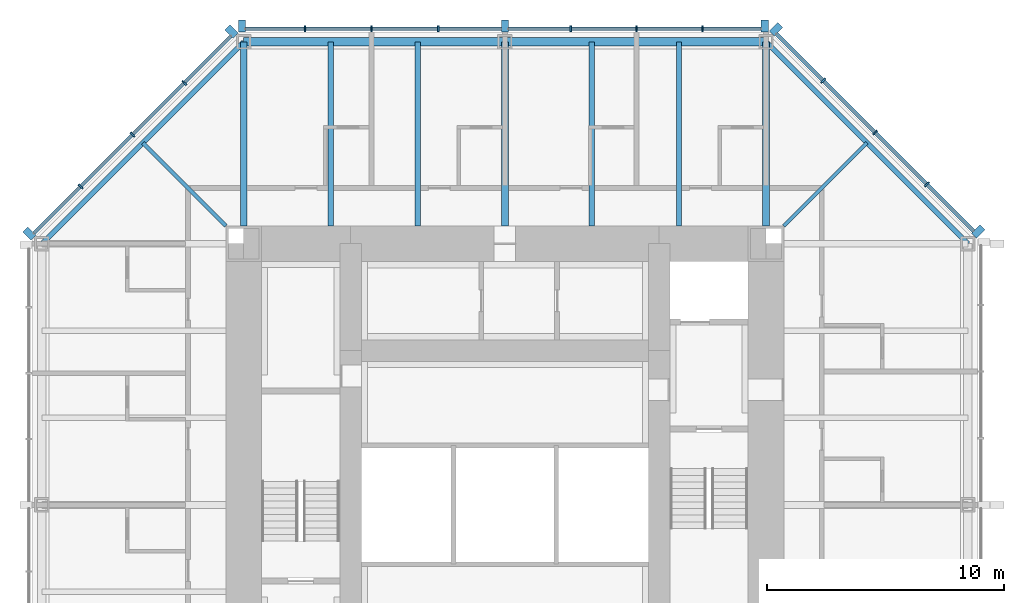
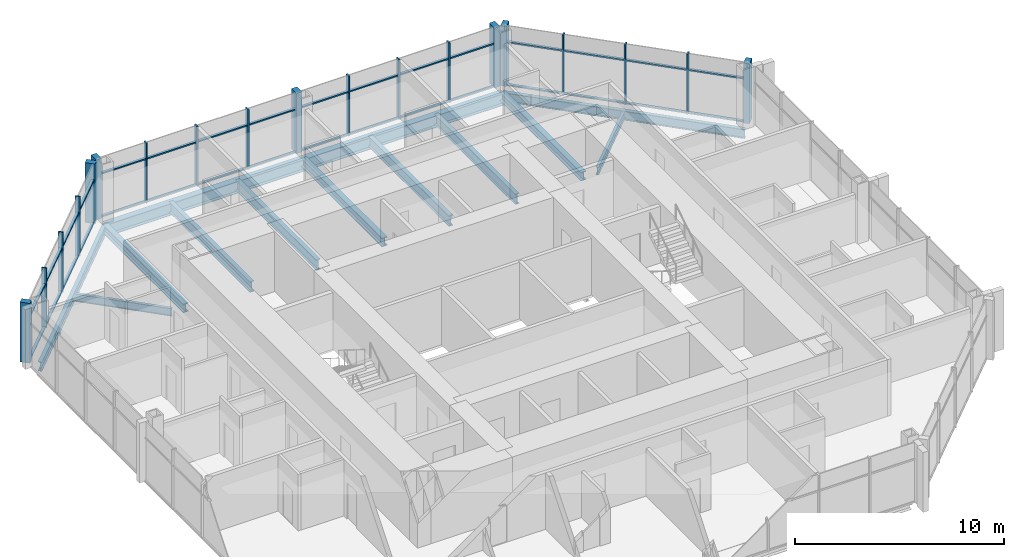
# One storey, part 5 of 12: 51 members, 13 beams, 3 elements without a shape of their own.
"""IFC4 building model written with IfcOpenShell, lengths in metres."""

from ifc_helpers import new_model, si_unit, direction, frame, origin, origin_2d, place, context, subcontext, project, spatial, rectangle, i_section, extrude, material, material_profile, profile_set, type_object, element, aggregate, save


model = new_model("IFC4")

# Units and contexts
model_context = context("Model", 3, precision=1e-05, world=origin(), true_north=direction((0.0, 1.0)))
body_context = subcontext(model_context, "Body", "Model", "MODEL_VIEW")
ifc_project = project(units=[si_unit("LENGTHUNIT", "METRE"), si_unit("AREAUNIT", "SQUARE_METRE"), si_unit("VOLUMEUNIT", "CUBIC_METRE"), si_unit("PLANEANGLEUNIT", "RADIAN"), si_unit("MASSUNIT", "GRAM", prefix="KILO")], contexts=[model_context])

# Site, building, storey
site_placement = place(None, origin())
site = spatial("IfcSite", under=ifc_project, at=site_placement, CompositionType="ELEMENT")
building_placement = place(site_placement, origin())
building = spatial("IfcBuilding", under=site, at=building_placement, Name="Trevanion Tower", CompositionType="ELEMENT")
storey_placement = place(building_placement, frame((0.0, 0.0, 190.699951171875)))
storey = spatial("IfcBuildingStorey", under=building, at=storey_placement, Name="L44", CompositionType="ELEMENT", Elevation=190.699951171875)

# Beams
ifc_material_1 = material(Name="Steel ASTM A992 Grade 50", Category="steel")
ifc_material_profile_1 = material_profile(ifc_material_1, i_section(OverallWidth=0.228271484375, OverallDepth=0.607177734375, WebThickness=0.01123046875, FlangeThickness=0.017333984375, at=origin_2d()), Name="W24X76")
ifc_profile_set_1 = profile_set([ifc_material_profile_1], Name="Steel ASTM A992 Grade 50")
beam_type_1 = type_object("IfcBeamType", Name="B11 W24X76", PredefinedType="BEAM", material=ifc_profile_set_1)
for number, where, z_axis, x_axis, name in (
    (1, (7.333251953125, 11.75, -0.493408203125), (0.0, 1.0, 0.0), (-1.0, 0.0, 0.0), "B11 L44"),
    (2, (3.666748046875, 11.75, -0.493408203125), (0.0, 1.0, 0.0), (-1.0, 0.0, 0.0), "B11 L44"),
    (3, (-3.666748046875, 11.75, -0.493408203125), (0.0, 1.0, 0.0), (-1.0, 0.0, 0.0), "B11 L44"),
    (4, (-7.333251953125, 11.75, -0.493408203125), (0.0, 1.0, 0.0), (-1.0, 0.0, 0.0), "B11 L44"),
):
    element("IfcBeam", number, at=place(storey_placement, frame(where, z_axis=z_axis, x_axis=x_axis)), inside=storey, type_object=beam_type_1, Name=name, PredefinedType="BEAM", context=body_context, shape_type="SweptSolid", body=[
        extrude(i_section(OverallWidth=0.228271484375, OverallDepth=0.607177734375, WebThickness=0.01123046875, FlangeThickness=0.017333984375, at=origin_2d()), origin(), (0.0, 0.0, 1.0), 7.75),
    ])
ifc_material_2 = material(Name="Steel ASTM A992 Grade 50", Category="steel")
ifc_material_profile_2 = material_profile(ifc_material_2, i_section(OverallWidth=0.15234375, OverallDepth=0.449462890625, WebThickness=0.007568359375, FlangeThickness=0.0107421875, at=origin_2d()), Name="W18X35")
ifc_profile_set_2 = profile_set([ifc_material_profile_2], Name="Steel ASTM A992 Grade 50")
beam_type_2 = type_object("IfcBeamType", Name="B12 W18X35", PredefinedType="BEAM", material=ifc_profile_set_2)
for number, where, z_axis, x_axis, name in (
    (5, (11.75, 11.75, -0.414794921875), (0.707106781187, 0.707106781187, 0.0), (-0.707106781187, 0.707106781187, 0.0), "B12 L44"),
    (6, (-11.75, 11.75, -0.414794921875), (-0.707106781187, 0.707106781187, 0.0), (-0.707106781187, -0.707106781187, 0.0), "B12 L44"),
):
    element("IfcBeam", number, at=place(storey_placement, frame(where, z_axis=z_axis, x_axis=x_axis)), inside=storey, type_object=beam_type_2, Name=name, PredefinedType="BEAM", context=body_context, shape_type="SweptSolid", body=[
        extrude(i_section(OverallWidth=0.15234375, OverallDepth=0.449462890625, WebThickness=0.007568359375, FlangeThickness=0.0107421875, at=origin_2d()), origin(), (0.0, 0.0, 1.0), 4.94970703125),
    ])

# Curtain wall, members
ifc_material_3 = material(Name="Aluminium and glass", Category="aluminium")
curtain_wall_type = type_object("IfcCurtainWallType", Name="CW3 curtain wall", PredefinedType="USERDEFINED", material=ifc_material_3)
curtain_wall_1_placement = place(storey_placement, origin())
curtain_wall_1 = element("IfcCurtainWall", 7, at=curtain_wall_1_placement, inside=storey, type_object=curtain_wall_type, Name="CW3 L44 1", ObjectType="UNITISED CURTAIN WALL", PredefinedType="USERDEFINED")
ifc_material_4 = material(Name="Aluminium extrusion, anodised bronze", Category="aluminium")
ifc_material_profile_3 = material_profile(ifc_material_4, rectangle(XDim=0.074951171875, YDim=0.25, at=origin_2d()), Name="CW3 mullion")
ifc_profile_set_3 = profile_set([ifc_material_profile_3], Name="Aluminium extrusion, anodised bronze")
member_type_1 = type_object("IfcMemberType", Name="CW3 mullion", PredefinedType="MULLION", material=ifc_profile_set_3)
member_1_placement = place(storey_placement, frame((17.775390625, 13.502197265625, -0.18994140625), z_axis=(0.0, 0.0, 1.0), x_axis=(-0.707106781187, 0.707106781187, 0.0)))
member_1 = element("IfcMember", 8, at=member_1_placement, type_object=member_type_1, Name="CW3 mullion 2", PredefinedType="MULLION", context=body_context, shape_type="SweptSolid", body=[
    extrude(rectangle(XDim=0.074951171875, YDim=0.25, at=origin_2d()), origin(), (0.0, 0.0, 1.0), 3.5),
])
member_2_placement = place(storey_placement, frame((15.593017578125, 15.684814453125, -0.18994140625), z_axis=(0.0, 0.0, 1.0), x_axis=(-0.707106781187, 0.707106781187, 0.0)))
member_2 = element("IfcMember", 9, at=member_2_placement, type_object=member_type_1, Name="CW3 mullion 3", PredefinedType="MULLION", context=body_context, shape_type="SweptSolid", body=[
    extrude(rectangle(XDim=0.074951171875, YDim=0.25, at=origin_2d()), origin(), (0.0, 0.0, 1.0), 3.5),
])
member_3_placement = place(storey_placement, frame((13.410400390625, 17.867431640625, -0.18994140625), z_axis=(0.0, 0.0, 1.0), x_axis=(-0.707106781187, 0.707106781187, 0.0)))
member_3 = element("IfcMember", 10, at=member_3_placement, type_object=member_type_1, Name="CW3 mullion 4", PredefinedType="MULLION", context=body_context, shape_type="SweptSolid", body=[
    extrude(rectangle(XDim=0.074951171875, YDim=0.25, at=origin_2d()), origin(), (0.0, 0.0, 1.0), 3.5),
])

curtain_wall_2_placement = place(storey_placement, origin())
curtain_wall_2 = element("IfcCurtainWall", 11, at=curtain_wall_2_placement, inside=storey, type_object=curtain_wall_type, Name="CW3 L44 2", ObjectType="UNITISED CURTAIN WALL", PredefinedType="USERDEFINED")
member_4_placement = place(storey_placement, frame((8.323486328125, 20.050048828125, -0.18994140625), z_axis=(0.0, 0.0, 1.0), x_axis=(-1.0, 0.0, 0.0)))
member_4 = element("IfcMember", 12, at=member_4_placement, type_object=member_type_1, Name="CW3 mullion 2", PredefinedType="MULLION", context=body_context, shape_type="SweptSolid", body=[
    extrude(rectangle(XDim=0.074951171875, YDim=0.25, at=origin_2d()), origin(), (0.0, 0.0, 1.0), 3.5),
])
member_5_placement = place(storey_placement, frame((5.548828125, 20.050048828125, -0.18994140625), z_axis=(0.0, 0.0, 1.0), x_axis=(-1.0, 0.0, 0.0)))
member_5 = element("IfcMember", 13, at=member_5_placement, type_object=member_type_1, Name="CW3 mullion 3", PredefinedType="MULLION", context=body_context, shape_type="SweptSolid", body=[
    extrude(rectangle(XDim=0.074951171875, YDim=0.25, at=origin_2d()), origin(), (0.0, 0.0, 1.0), 3.5),
])
member_6_placement = place(storey_placement, frame((2.7744140625, 20.050048828125, -0.18994140625), z_axis=(0.0, 0.0, 1.0), x_axis=(-1.0, 0.0, 0.0)))
member_6 = element("IfcMember", 14, at=member_6_placement, type_object=member_type_1, Name="CW3 mullion 4", PredefinedType="MULLION", context=body_context, shape_type="SweptSolid", body=[
    extrude(rectangle(XDim=0.074951171875, YDim=0.25, at=origin_2d()), origin(), (0.0, 0.0, 1.0), 3.5),
])
member_7_placement = place(storey_placement, frame((-2.806884765625, 20.050048828125, -0.18994140625), z_axis=(0.0, 0.0, 1.0), x_axis=(-1.0, 0.0, 0.0)))
member_7 = element("IfcMember", 15, at=member_7_placement, type_object=member_type_1, Name="CW3 mullion 6", PredefinedType="MULLION", context=body_context, shape_type="SweptSolid", body=[
    extrude(rectangle(XDim=0.074951171875, YDim=0.25, at=origin_2d()), origin(), (0.0, 0.0, 1.0), 3.5),
])
member_8_placement = place(storey_placement, frame((-5.614013671875, 20.050048828125, -0.18994140625), z_axis=(0.0, 0.0, 1.0), x_axis=(-1.0, 0.0, 0.0)))
member_8 = element("IfcMember", 16, at=member_8_placement, type_object=member_type_1, Name="CW3 mullion 7", PredefinedType="MULLION", context=body_context, shape_type="SweptSolid", body=[
    extrude(rectangle(XDim=0.074951171875, YDim=0.25, at=origin_2d()), origin(), (0.0, 0.0, 1.0), 3.5),
])
member_9_placement = place(storey_placement, frame((-8.4208984375, 20.050048828125, -0.18994140625), z_axis=(0.0, 0.0, 1.0), x_axis=(-1.0, 0.0, 0.0)))
member_9 = element("IfcMember", 17, at=member_9_placement, type_object=member_type_1, Name="CW3 mullion 8", PredefinedType="MULLION", context=body_context, shape_type="SweptSolid", body=[
    extrude(rectangle(XDim=0.074951171875, YDim=0.25, at=origin_2d()), origin(), (0.0, 0.0, 1.0), 3.5),
])

curtain_wall_3_placement = place(storey_placement, origin())
curtain_wall_3 = element("IfcCurtainWall", 18, at=curtain_wall_3_placement, inside=storey, type_object=curtain_wall_type, Name="CW3 L44 3", ObjectType="UNITISED CURTAIN WALL", PredefinedType="USERDEFINED")
member_10_placement = place(storey_placement, frame((-13.502197265625, 17.775390625, -0.18994140625), z_axis=(0.0, 0.0, 1.0), x_axis=(-0.707106781187, -0.707106781187, 0.0)))
member_10 = element("IfcMember", 19, at=member_10_placement, type_object=member_type_1, Name="CW3 mullion 2", PredefinedType="MULLION", context=body_context, shape_type="SweptSolid", body=[
    extrude(rectangle(XDim=0.074951171875, YDim=0.25, at=origin_2d()), origin(), (0.0, 0.0, 1.0), 3.5),
])
member_11_placement = place(storey_placement, frame((-15.684814453125, 15.593017578125, -0.18994140625), z_axis=(0.0, 0.0, 1.0), x_axis=(-0.707106781187, -0.707106781187, 0.0)))
member_11 = element("IfcMember", 20, at=member_11_placement, type_object=member_type_1, Name="CW3 mullion 3", PredefinedType="MULLION", context=body_context, shape_type="SweptSolid", body=[
    extrude(rectangle(XDim=0.074951171875, YDim=0.25, at=origin_2d()), origin(), (0.0, 0.0, 1.0), 3.5),
])
member_12_placement = place(storey_placement, frame((-17.867431640625, 13.410400390625, -0.18994140625), z_axis=(0.0, 0.0, 1.0), x_axis=(-0.707106781187, -0.707106781187, 0.0)))
member_12 = element("IfcMember", 21, at=member_12_placement, type_object=member_type_1, Name="CW3 mullion 4", PredefinedType="MULLION", context=body_context, shape_type="SweptSolid", body=[
    extrude(rectangle(XDim=0.074951171875, YDim=0.25, at=origin_2d()), origin(), (0.0, 0.0, 1.0), 3.5),
])

# Member
ifc_material_5 = material(Name="Aluminium extrusion, anodised bronze", Category="aluminium")
ifc_material_profile_4 = material_profile(ifc_material_5, rectangle(XDim=0.300048828125, YDim=0.5, at=origin_2d()), Name="CW3 pier mullion")
ifc_profile_set_4 = profile_set([ifc_material_profile_4], Name="Aluminium extrusion, anodised bronze")
member_type_2 = type_object("IfcMemberType", Name="CW3 pier mullion", PredefinedType="MULLION", material=ifc_profile_set_4)
member_13_placement = place(storey_placement, frame((19.9404296875, 11.51416015625, -0.18994140625), z_axis=(0.0, 0.0, 1.0), x_axis=(-0.707106781187, 0.707106781187, 0.0)))
member_13 = element("IfcMember", 22, at=member_13_placement, type_object=member_type_2, Name="CW3 pier mullion 1", PredefinedType="MULLION", context=body_context, shape_type="SweptSolid", body=[
    extrude(rectangle(XDim=0.300048828125, YDim=0.5, at=origin_2d()), origin(), (0.0, 0.0, 1.0), 3.5),
])

member_14_placement = place(storey_placement, frame((11.42236328125, 20.0322265625, -0.18994140625), z_axis=(0.0, 0.0, 1.0), x_axis=(-0.707106781187, 0.707106781187, 0.0)))
member_14 = element("IfcMember", 23, at=member_14_placement, type_object=member_type_2, Name="CW3 pier mullion 5", PredefinedType="MULLION", context=body_context, shape_type="SweptSolid", body=[
    extrude(rectangle(XDim=0.300048828125, YDim=0.5, at=origin_2d()), origin(), (0.0, 0.0, 1.0), 3.5),
])

member_15_placement = place(storey_placement, frame((10.94775390625, 20.175048828125, -0.18994140625), z_axis=(0.0, 0.0, 1.0), x_axis=(-1.0, 0.0, 0.0)))
member_15 = element("IfcMember", 24, at=member_15_placement, type_object=member_type_2, Name="CW3 pier mullion 1", PredefinedType="MULLION", context=body_context, shape_type="SweptSolid", body=[
    extrude(rectangle(XDim=0.300048828125, YDim=0.5, at=origin_2d()), origin(), (0.0, 0.0, 1.0), 3.5),
])

member_16_placement = place(storey_placement, frame((0.0, 20.175048828125, -0.18994140625), z_axis=(0.0, 0.0, 1.0), x_axis=(-1.0, 0.0, 0.0)))
member_16 = element("IfcMember", 25, at=member_16_placement, type_object=member_type_2, Name="CW3 pier mullion 5", PredefinedType="MULLION", context=body_context, shape_type="SweptSolid", body=[
    extrude(rectangle(XDim=0.300048828125, YDim=0.5, at=origin_2d()), origin(), (0.0, 0.0, 1.0), 3.5),
])

member_17_placement = place(storey_placement, frame((-11.077880859375, 20.175048828125, -0.18994140625), z_axis=(0.0, 0.0, 1.0), x_axis=(-1.0, 0.0, 0.0)))
member_17 = element("IfcMember", 26, at=member_17_placement, type_object=member_type_2, Name="CW3 pier mullion 9", PredefinedType="MULLION", context=body_context, shape_type="SweptSolid", body=[
    extrude(rectangle(XDim=0.300048828125, YDim=0.5, at=origin_2d()), origin(), (0.0, 0.0, 1.0), 3.5),
])

member_18_placement = place(storey_placement, frame((-11.51416015625, 19.9404296875, -0.18994140625), z_axis=(0.0, 0.0, 1.0), x_axis=(-0.707106781187, -0.707106781187, 0.0)))
member_18 = element("IfcMember", 27, at=member_18_placement, type_object=member_type_2, Name="CW3 pier mullion 1", PredefinedType="MULLION", context=body_context, shape_type="SweptSolid", body=[
    extrude(rectangle(XDim=0.300048828125, YDim=0.5, at=origin_2d()), origin(), (0.0, 0.0, 1.0), 3.5),
])

member_19_placement = place(storey_placement, frame((-20.0322265625, 11.42236328125, -0.18994140625), z_axis=(0.0, 0.0, 1.0), x_axis=(-0.707106781187, -0.707106781187, 0.0)))
member_19 = element("IfcMember", 28, at=member_19_placement, type_object=member_type_2, Name="CW3 pier mullion 5", PredefinedType="MULLION", context=body_context, shape_type="SweptSolid", body=[
    extrude(rectangle(XDim=0.300048828125, YDim=0.5, at=origin_2d()), origin(), (0.0, 0.0, 1.0), 3.5),
])

ifc_material_6 = material(Name="Aluminium extrusion, anodised bronze", Category="aluminium")
ifc_material_profile_5 = material_profile(ifc_material_6, rectangle(XDim=0.14990234375, YDim=0.074951171875, at=origin_2d()), Name="CW3 transom")
ifc_profile_set_5 = profile_set([ifc_material_profile_5], Name="Aluminium extrusion, anodised bronze")
member_type_3 = type_object("IfcMemberType", Name="CW3 transom", PredefinedType="USERDEFINED", material=ifc_profile_set_5)
member_20_placement = place(storey_placement, frame((19.745849609375, 11.531982421875, -0.15234375), z_axis=(-0.707106781187, 0.707106781187, 0.0), x_axis=(-0.707106781187, -0.707106781187, 0.0)))
member_20 = element("IfcMember", 29, at=member_20_placement, type_object=member_type_3, Name="CW3 transom 1.1", ObjectType="TRANSOM", PredefinedType="USERDEFINED", context=body_context, shape_type="SweptSolid", body=[
    extrude(rectangle(XDim=0.14990234375, YDim=0.074951171875, at=origin_2d()), origin(), (0.0, 0.0, 1.0), 2.7490234375),
])

member_21_placement = place(storey_placement, frame((19.745849609375, 11.531982421875, 2.360107421875), z_axis=(-0.707106781187, 0.707106781187, 0.0), x_axis=(-0.707106781187, -0.707106781187, 0.0)))
member_21 = element("IfcMember", 30, at=member_21_placement, type_object=member_type_3, Name="CW3 transom 1.2", ObjectType="TRANSOM", PredefinedType="USERDEFINED", context=body_context, shape_type="SweptSolid", body=[
    extrude(rectangle(XDim=0.14990234375, YDim=0.074951171875, at=origin_2d()), origin(), (0.0, 0.0, 1.0), 2.7490234375),
])

member_22_placement = place(storey_placement, frame((17.7490234375, 13.52880859375, -0.15234375), z_axis=(-0.707106781187, 0.707106781187, 0.0), x_axis=(-0.707106781187, -0.707106781187, 0.0)))
member_22 = element("IfcMember", 31, at=member_22_placement, type_object=member_type_3, Name="CW3 transom 2.1", ObjectType="TRANSOM", PredefinedType="USERDEFINED", context=body_context, shape_type="SweptSolid", body=[
    extrude(rectangle(XDim=0.14990234375, YDim=0.074951171875, at=origin_2d()), origin(), (0.0, 0.0, 1.0), 3.01171875),
])

member_23_placement = place(storey_placement, frame((17.7490234375, 13.52880859375, 2.360107421875), z_axis=(-0.707106781187, 0.707106781187, 0.0), x_axis=(-0.707106781187, -0.707106781187, 0.0)))
member_23 = element("IfcMember", 32, at=member_23_placement, type_object=member_type_3, Name="CW3 transom 2.2", ObjectType="TRANSOM", PredefinedType="USERDEFINED", context=body_context, shape_type="SweptSolid", body=[
    extrude(rectangle(XDim=0.14990234375, YDim=0.074951171875, at=origin_2d()), origin(), (0.0, 0.0, 1.0), 3.01171875),
])

member_24_placement = place(storey_placement, frame((15.56640625, 15.71142578125, -0.15234375), z_axis=(-0.707106781187, 0.707106781187, 0.0), x_axis=(-0.707106781187, -0.707106781187, 0.0)))
member_24 = element("IfcMember", 33, at=member_24_placement, type_object=member_type_3, Name="CW3 transom 3.1", ObjectType="TRANSOM", PredefinedType="USERDEFINED", context=body_context, shape_type="SweptSolid", body=[
    extrude(rectangle(XDim=0.14990234375, YDim=0.074951171875, at=origin_2d()), origin(), (0.0, 0.0, 1.0), 3.011474609375),
])

member_25_placement = place(storey_placement, frame((15.56640625, 15.71142578125, 2.360107421875), z_axis=(-0.707106781187, 0.707106781187, 0.0), x_axis=(-0.707106781187, -0.707106781187, 0.0)))
member_25 = element("IfcMember", 34, at=member_25_placement, type_object=member_type_3, Name="CW3 transom 3.2", ObjectType="TRANSOM", PredefinedType="USERDEFINED", context=body_context, shape_type="SweptSolid", body=[
    extrude(rectangle(XDim=0.14990234375, YDim=0.074951171875, at=origin_2d()), origin(), (0.0, 0.0, 1.0), 3.011474609375),
])

member_26_placement = place(storey_placement, frame((13.3837890625, 17.89404296875, -0.15234375), z_axis=(-0.707106781187, 0.707106781187, 0.0), x_axis=(-0.707106781187, -0.707106781187, 0.0)))
member_26 = element("IfcMember", 35, at=member_26_placement, type_object=member_type_3, Name="CW3 transom 4.1", ObjectType="TRANSOM", PredefinedType="USERDEFINED", context=body_context, shape_type="SweptSolid", body=[
    extrude(rectangle(XDim=0.14990234375, YDim=0.074951171875, at=origin_2d()), origin(), (0.0, 0.0, 1.0), 2.7490234375),
])

member_27_placement = place(storey_placement, frame((13.3837890625, 17.89404296875, 2.360107421875), z_axis=(-0.707106781187, 0.707106781187, 0.0), x_axis=(-0.707106781187, -0.707106781187, 0.0)))
member_27 = element("IfcMember", 36, at=member_27_placement, type_object=member_type_3, Name="CW3 transom 4.2", ObjectType="TRANSOM", PredefinedType="USERDEFINED", context=body_context, shape_type="SweptSolid", body=[
    extrude(rectangle(XDim=0.14990234375, YDim=0.074951171875, at=origin_2d()), origin(), (0.0, 0.0, 1.0), 2.7490234375),
])

aggregate(curtain_wall_1, [member_13, member_1, member_2, member_3, member_14, member_20, member_21, member_22, member_23, member_24, member_25, member_26, member_27])

member_28_placement = place(storey_placement, frame((10.7978515625, 20.050048828125, -0.15234375), z_axis=(-1.0, 0.0, 0.0), x_axis=(0.0, -1.0, 0.0)))
member_28 = element("IfcMember", 37, at=member_28_placement, type_object=member_type_3, Name="CW3 transom 1.1", ObjectType="TRANSOM", PredefinedType="USERDEFINED", context=body_context, shape_type="SweptSolid", body=[
    extrude(rectangle(XDim=0.14990234375, YDim=0.074951171875, at=origin_2d()), origin(), (0.0, 0.0, 1.0), 2.43701171875),
])

member_29_placement = place(storey_placement, frame((10.7978515625, 20.050048828125, 2.360107421875), z_axis=(-1.0, 0.0, 0.0), x_axis=(0.0, -1.0, 0.0)))
member_29 = element("IfcMember", 38, at=member_29_placement, type_object=member_type_3, Name="CW3 transom 1.2", ObjectType="TRANSOM", PredefinedType="USERDEFINED", context=body_context, shape_type="SweptSolid", body=[
    extrude(rectangle(XDim=0.14990234375, YDim=0.074951171875, at=origin_2d()), origin(), (0.0, 0.0, 1.0), 2.43701171875),
])

member_30_placement = place(storey_placement, frame((8.285888671875, 20.050048828125, -0.15234375), z_axis=(-1.0, 0.0, 0.0), x_axis=(0.0, -1.0, 0.0)))
member_30 = element("IfcMember", 39, at=member_30_placement, type_object=member_type_3, Name="CW3 transom 2.1", ObjectType="TRANSOM", PredefinedType="USERDEFINED", context=body_context, shape_type="SweptSolid", body=[
    extrude(rectangle(XDim=0.14990234375, YDim=0.074951171875, at=origin_2d()), origin(), (0.0, 0.0, 1.0), 2.699462890625),
])

member_31_placement = place(storey_placement, frame((8.285888671875, 20.050048828125, 2.360107421875), z_axis=(-1.0, 0.0, 0.0), x_axis=(0.0, -1.0, 0.0)))
member_31 = element("IfcMember", 40, at=member_31_placement, type_object=member_type_3, Name="CW3 transom 2.2", ObjectType="TRANSOM", PredefinedType="USERDEFINED", context=body_context, shape_type="SweptSolid", body=[
    extrude(rectangle(XDim=0.14990234375, YDim=0.074951171875, at=origin_2d()), origin(), (0.0, 0.0, 1.0), 2.699462890625),
])

member_32_placement = place(storey_placement, frame((5.511474609375, 20.050048828125, -0.15234375), z_axis=(-1.0, 0.0, 0.0), x_axis=(0.0, -1.0, 0.0)))
member_32 = element("IfcMember", 41, at=member_32_placement, type_object=member_type_3, Name="CW3 transom 3.1", ObjectType="TRANSOM", PredefinedType="USERDEFINED", context=body_context, shape_type="SweptSolid", body=[
    extrude(rectangle(XDim=0.14990234375, YDim=0.074951171875, at=origin_2d()), origin(), (0.0, 0.0, 1.0), 2.699462890625),
])

member_33_placement = place(storey_placement, frame((5.511474609375, 20.050048828125, 2.360107421875), z_axis=(-1.0, 0.0, 0.0), x_axis=(0.0, -1.0, 0.0)))
member_33 = element("IfcMember", 42, at=member_33_placement, type_object=member_type_3, Name="CW3 transom 3.2", ObjectType="TRANSOM", PredefinedType="USERDEFINED", context=body_context, shape_type="SweptSolid", body=[
    extrude(rectangle(XDim=0.14990234375, YDim=0.074951171875, at=origin_2d()), origin(), (0.0, 0.0, 1.0), 2.699462890625),
])

member_34_placement = place(storey_placement, frame((2.737060546875, 20.050048828125, -0.15234375), z_axis=(-1.0, 0.0, 0.0), x_axis=(0.0, -1.0, 0.0)))
member_34 = element("IfcMember", 43, at=member_34_placement, type_object=member_type_3, Name="CW3 transom 4.1", ObjectType="TRANSOM", PredefinedType="USERDEFINED", context=body_context, shape_type="SweptSolid", body=[
    extrude(rectangle(XDim=0.14990234375, YDim=0.074951171875, at=origin_2d()), origin(), (0.0, 0.0, 1.0), 2.587158203125),
])

member_35_placement = place(storey_placement, frame((2.737060546875, 20.050048828125, 2.360107421875), z_axis=(-1.0, 0.0, 0.0), x_axis=(0.0, -1.0, 0.0)))
member_35 = element("IfcMember", 44, at=member_35_placement, type_object=member_type_3, Name="CW3 transom 4.2", ObjectType="TRANSOM", PredefinedType="USERDEFINED", context=body_context, shape_type="SweptSolid", body=[
    extrude(rectangle(XDim=0.14990234375, YDim=0.074951171875, at=origin_2d()), origin(), (0.0, 0.0, 1.0), 2.587158203125),
])

member_36_placement = place(storey_placement, frame((-0.14990234375, 20.050048828125, -0.15234375), z_axis=(-1.0, 0.0, 0.0), x_axis=(0.0, -1.0, 0.0)))
member_36 = element("IfcMember", 45, at=member_36_placement, type_object=member_type_3, Name="CW3 transom 5.1", ObjectType="TRANSOM", PredefinedType="USERDEFINED", context=body_context, shape_type="SweptSolid", body=[
    extrude(rectangle(XDim=0.14990234375, YDim=0.074951171875, at=origin_2d()), origin(), (0.0, 0.0, 1.0), 2.619384765625),
])

member_37_placement = place(storey_placement, frame((-0.14990234375, 20.050048828125, 2.360107421875), z_axis=(-1.0, 0.0, 0.0), x_axis=(0.0, -1.0, 0.0)))
member_37 = element("IfcMember", 46, at=member_37_placement, type_object=member_type_3, Name="CW3 transom 5.2", ObjectType="TRANSOM", PredefinedType="USERDEFINED", context=body_context, shape_type="SweptSolid", body=[
    extrude(rectangle(XDim=0.14990234375, YDim=0.074951171875, at=origin_2d()), origin(), (0.0, 0.0, 1.0), 2.619384765625),
])

member_38_placement = place(storey_placement, frame((-2.844482421875, 20.050048828125, -0.15234375), z_axis=(-1.0, 0.0, 0.0), x_axis=(0.0, -1.0, 0.0)))
member_38 = element("IfcMember", 47, at=member_38_placement, type_object=member_type_3, Name="CW3 transom 6.1", ObjectType="TRANSOM", PredefinedType="USERDEFINED", context=body_context, shape_type="SweptSolid", body=[
    extrude(rectangle(XDim=0.14990234375, YDim=0.074951171875, at=origin_2d()), origin(), (0.0, 0.0, 1.0), 2.73193359375),
])

member_39_placement = place(storey_placement, frame((-2.844482421875, 20.050048828125, 2.360107421875), z_axis=(-1.0, 0.0, 0.0), x_axis=(0.0, -1.0, 0.0)))
member_39 = element("IfcMember", 48, at=member_39_placement, type_object=member_type_3, Name="CW3 transom 6.2", ObjectType="TRANSOM", PredefinedType="USERDEFINED", context=body_context, shape_type="SweptSolid", body=[
    extrude(rectangle(XDim=0.14990234375, YDim=0.074951171875, at=origin_2d()), origin(), (0.0, 0.0, 1.0), 2.73193359375),
])

member_40_placement = place(storey_placement, frame((-5.6513671875, 20.050048828125, -0.15234375), z_axis=(-1.0, 0.0, 0.0), x_axis=(0.0, -1.0, 0.0)))
member_40 = element("IfcMember", 49, at=member_40_placement, type_object=member_type_3, Name="CW3 transom 7.1", ObjectType="TRANSOM", PredefinedType="USERDEFINED", context=body_context, shape_type="SweptSolid", body=[
    extrude(rectangle(XDim=0.14990234375, YDim=0.074951171875, at=origin_2d()), origin(), (0.0, 0.0, 1.0), 2.73193359375),
])

member_41_placement = place(storey_placement, frame((-5.6513671875, 20.050048828125, 2.360107421875), z_axis=(-1.0, 0.0, 0.0), x_axis=(0.0, -1.0, 0.0)))
member_41 = element("IfcMember", 50, at=member_41_placement, type_object=member_type_3, Name="CW3 transom 7.2", ObjectType="TRANSOM", PredefinedType="USERDEFINED", context=body_context, shape_type="SweptSolid", body=[
    extrude(rectangle(XDim=0.14990234375, YDim=0.074951171875, at=origin_2d()), origin(), (0.0, 0.0, 1.0), 2.73193359375),
])

member_42_placement = place(storey_placement, frame((-8.45849609375, 20.050048828125, -0.15234375), z_axis=(-1.0, 0.0, 0.0), x_axis=(0.0, -1.0, 0.0)))
member_42 = element("IfcMember", 51, at=member_42_placement, type_object=member_type_3, Name="CW3 transom 8.1", ObjectType="TRANSOM", PredefinedType="USERDEFINED", context=body_context, shape_type="SweptSolid", body=[
    extrude(rectangle(XDim=0.14990234375, YDim=0.074951171875, at=origin_2d()), origin(), (0.0, 0.0, 1.0), 2.46923828125),
])

member_43_placement = place(storey_placement, frame((-8.45849609375, 20.050048828125, 2.360107421875), z_axis=(-1.0, 0.0, 0.0), x_axis=(0.0, -1.0, 0.0)))
member_43 = element("IfcMember", 52, at=member_43_placement, type_object=member_type_3, Name="CW3 transom 8.2", ObjectType="TRANSOM", PredefinedType="USERDEFINED", context=body_context, shape_type="SweptSolid", body=[
    extrude(rectangle(XDim=0.14990234375, YDim=0.074951171875, at=origin_2d()), origin(), (0.0, 0.0, 1.0), 2.46923828125),
])

aggregate(curtain_wall_2, [member_15, member_4, member_5, member_6, member_16, member_7, member_8, member_9, member_17, member_28, member_29, member_30, member_31, member_32, member_33, member_34, member_35, member_36, member_37, member_38, member_39, member_40, member_41, member_42, member_43])

member_44_placement = place(storey_placement, frame((-11.531982421875, 19.745849609375, -0.15234375), z_axis=(-0.707106781187, -0.707106781187, 0.0), x_axis=(0.707106781187, -0.707106781187, 0.0)))
member_44 = element("IfcMember", 53, at=member_44_placement, type_object=member_type_3, Name="CW3 transom 1.1", ObjectType="TRANSOM", PredefinedType="USERDEFINED", context=body_context, shape_type="SweptSolid", body=[
    extrude(rectangle(XDim=0.14990234375, YDim=0.074951171875, at=origin_2d()), origin(), (0.0, 0.0, 1.0), 2.7490234375),
])

member_45_placement = place(storey_placement, frame((-11.531982421875, 19.745849609375, 2.360107421875), z_axis=(-0.707106781187, -0.707106781187, 0.0), x_axis=(0.707106781187, -0.707106781187, 0.0)))
member_45 = element("IfcMember", 54, at=member_45_placement, type_object=member_type_3, Name="CW3 transom 1.2", ObjectType="TRANSOM", PredefinedType="USERDEFINED", context=body_context, shape_type="SweptSolid", body=[
    extrude(rectangle(XDim=0.14990234375, YDim=0.074951171875, at=origin_2d()), origin(), (0.0, 0.0, 1.0), 2.7490234375),
])

member_46_placement = place(storey_placement, frame((-13.52880859375, 17.7490234375, -0.15234375), z_axis=(-0.707106781187, -0.707106781187, 0.0), x_axis=(0.707106781187, -0.707106781187, 0.0)))
member_46 = element("IfcMember", 55, at=member_46_placement, type_object=member_type_3, Name="CW3 transom 2.1", ObjectType="TRANSOM", PredefinedType="USERDEFINED", context=body_context, shape_type="SweptSolid", body=[
    extrude(rectangle(XDim=0.14990234375, YDim=0.074951171875, at=origin_2d()), origin(), (0.0, 0.0, 1.0), 3.01171875),
])

member_47_placement = place(storey_placement, frame((-13.52880859375, 17.7490234375, 2.360107421875), z_axis=(-0.707106781187, -0.707106781187, 0.0), x_axis=(0.707106781187, -0.707106781187, 0.0)))
member_47 = element("IfcMember", 56, at=member_47_placement, type_object=member_type_3, Name="CW3 transom 2.2", ObjectType="TRANSOM", PredefinedType="USERDEFINED", context=body_context, shape_type="SweptSolid", body=[
    extrude(rectangle(XDim=0.14990234375, YDim=0.074951171875, at=origin_2d()), origin(), (0.0, 0.0, 1.0), 3.01171875),
])

member_48_placement = place(storey_placement, frame((-15.71142578125, 15.56640625, -0.15234375), z_axis=(-0.707106781187, -0.707106781187, 0.0), x_axis=(0.707106781187, -0.707106781187, 0.0)))
member_48 = element("IfcMember", 57, at=member_48_placement, type_object=member_type_3, Name="CW3 transom 3.1", ObjectType="TRANSOM", PredefinedType="USERDEFINED", context=body_context, shape_type="SweptSolid", body=[
    extrude(rectangle(XDim=0.14990234375, YDim=0.074951171875, at=origin_2d()), origin(), (0.0, 0.0, 1.0), 3.011474609375),
])

member_49_placement = place(storey_placement, frame((-15.71142578125, 15.56640625, 2.360107421875), z_axis=(-0.707106781187, -0.707106781187, 0.0), x_axis=(0.707106781187, -0.707106781187, 0.0)))
member_49 = element("IfcMember", 58, at=member_49_placement, type_object=member_type_3, Name="CW3 transom 3.2", ObjectType="TRANSOM", PredefinedType="USERDEFINED", context=body_context, shape_type="SweptSolid", body=[
    extrude(rectangle(XDim=0.14990234375, YDim=0.074951171875, at=origin_2d()), origin(), (0.0, 0.0, 1.0), 3.011474609375),
])

member_50_placement = place(storey_placement, frame((-17.89404296875, 13.3837890625, -0.15234375), z_axis=(-0.707106781187, -0.707106781187, 0.0), x_axis=(0.707106781187, -0.707106781187, 0.0)))
member_50 = element("IfcMember", 59, at=member_50_placement, type_object=member_type_3, Name="CW3 transom 4.1", ObjectType="TRANSOM", PredefinedType="USERDEFINED", context=body_context, shape_type="SweptSolid", body=[
    extrude(rectangle(XDim=0.14990234375, YDim=0.074951171875, at=origin_2d()), origin(), (0.0, 0.0, 1.0), 2.7490234375),
])

member_51_placement = place(storey_placement, frame((-17.89404296875, 13.3837890625, 2.360107421875), z_axis=(-0.707106781187, -0.707106781187, 0.0), x_axis=(0.707106781187, -0.707106781187, 0.0)))
member_51 = element("IfcMember", 60, at=member_51_placement, type_object=member_type_3, Name="CW3 transom 4.2", ObjectType="TRANSOM", PredefinedType="USERDEFINED", context=body_context, shape_type="SweptSolid", body=[
    extrude(rectangle(XDim=0.14990234375, YDim=0.074951171875, at=origin_2d()), origin(), (0.0, 0.0, 1.0), 2.7490234375),
])

aggregate(curtain_wall_3, [member_18, member_10, member_11, member_12, member_19, member_44, member_45, member_46, member_47, member_48, member_49, member_50, member_51])

# Beams
ifc_material_7 = material(Name="Steel ASTM A992 Grade 50", Category="steel")
ifc_material_profile_6 = material_profile(ifc_material_7, i_section(OverallWidth=0.28955078125, OverallDepth=0.508056640625, WebThickness=0.022705078125, FlangeThickness=0.040283203125, at=origin_2d()), Name="W18X175")
ifc_profile_set_6 = profile_set([ifc_material_profile_6], Name="Steel ASTM A992 Grade 50")
beam_type_3 = type_object("IfcBeamType", Name="G6 W18X175", PredefinedType="BEAM", material=ifc_profile_set_6)
for number, where, z_axis, x_axis, name in (
    (61, (11.0, 11.75, -0.44384765625), (0.0, 1.0, 0.0), (-1.0, 0.0, 0.0), "G6 L44"),
    (62, (0.0, 11.75, -0.44384765625), (0.0, 1.0, 0.0), (-1.0, 0.0, 0.0), "G6 L44"),
    (63, (-11.0, 11.75, -0.44384765625), (0.0, 1.0, 0.0), (-1.0, 0.0, 0.0), "G6 L44"),
):
    element("IfcBeam", number, at=place(storey_placement, frame(where, z_axis=z_axis, x_axis=x_axis)), inside=storey, type_object=beam_type_3, Name=name, PredefinedType="BEAM", context=body_context, shape_type="SweptSolid", body=[
        extrude(i_section(OverallWidth=0.28955078125, OverallDepth=0.508056640625, WebThickness=0.022705078125, FlangeThickness=0.040283203125, at=origin_2d()), origin(), (0.0, 0.0, 1.0), 7.75),
    ])
ifc_material_8 = material(Name="Steel ASTM A992 Grade 50", Category="steel")
ifc_material_profile_7 = material_profile(ifc_material_8, i_section(OverallWidth=0.355712890625, OverallDepth=0.696044921875, WebThickness=0.015380859375, FlangeThickness=0.024658203125, at=origin_2d()), Name="W27X146")
ifc_profile_set_7 = profile_set([ifc_material_profile_7], Name="Steel ASTM A992 Grade 50")
beam_type_4 = type_object("IfcBeamType", Name="SB8 W27X146", PredefinedType="SPANDREL", material=ifc_profile_set_7)
for number, where, z_axis, x_axis, name in (
    (64, (11.0, 19.5, -0.537841796875), (-1.0, 0.0, 0.0), (0.0, -1.0, 0.0), "SB8 L44"),
    (65, (0.0, 19.5, -0.537841796875), (-1.0, 0.0, 0.0), (0.0, -1.0, 0.0), "SB8 L44"),
):
    element("IfcBeam", number, at=place(storey_placement, frame(where, z_axis=z_axis, x_axis=x_axis)), inside=storey, type_object=beam_type_4, Name=name, PredefinedType="SPANDREL", context=body_context, shape_type="SweptSolid", body=[
        extrude(i_section(OverallWidth=0.355712890625, OverallDepth=0.696044921875, WebThickness=0.015380859375, FlangeThickness=0.024658203125, at=origin_2d()), origin(), (0.0, 0.0, 1.0), 11.0),
    ])
ifc_material_9 = material(Name="Steel ASTM A992 Grade 50", Category="steel")
ifc_material_profile_8 = material_profile(ifc_material_9, i_section(OverallWidth=0.209228515625, OverallDepth=0.533447265625, WebThickness=0.01025390625, FlangeThickness=0.015625, at=origin_2d()), Name="W21X62")
ifc_profile_set_8 = profile_set([ifc_material_profile_8], Name="Steel ASTM A992 Grade 50")
beam_type_5 = type_object("IfcBeamType", Name="SB9 W21X62", PredefinedType="SPANDREL", material=ifc_profile_set_8)
for number, where, z_axis, x_axis, name in (
    (66, (19.5, 11.0, -0.45654296875), (-0.707106781187, 0.707106781187, 0.0), (-0.707106781187, -0.707106781187, 0.0), "SB9 L44"),
    (67, (-11.0, 19.5, -0.45654296875), (-0.707106781187, -0.707106781187, 0.0), (0.707106781187, -0.707106781187, 0.0), "SB9 L44"),
):
    element("IfcBeam", number, at=place(storey_placement, frame(where, z_axis=z_axis, x_axis=x_axis)), inside=storey, type_object=beam_type_5, Name=name, PredefinedType="SPANDREL", context=body_context, shape_type="SweptSolid", body=[
        extrude(i_section(OverallWidth=0.209228515625, OverallDepth=0.533447265625, WebThickness=0.01025390625, FlangeThickness=0.015625, at=origin_2d()), origin(), (0.0, 0.0, 1.0), 12.020751953125),
    ])

save(model, "model.ifc")
